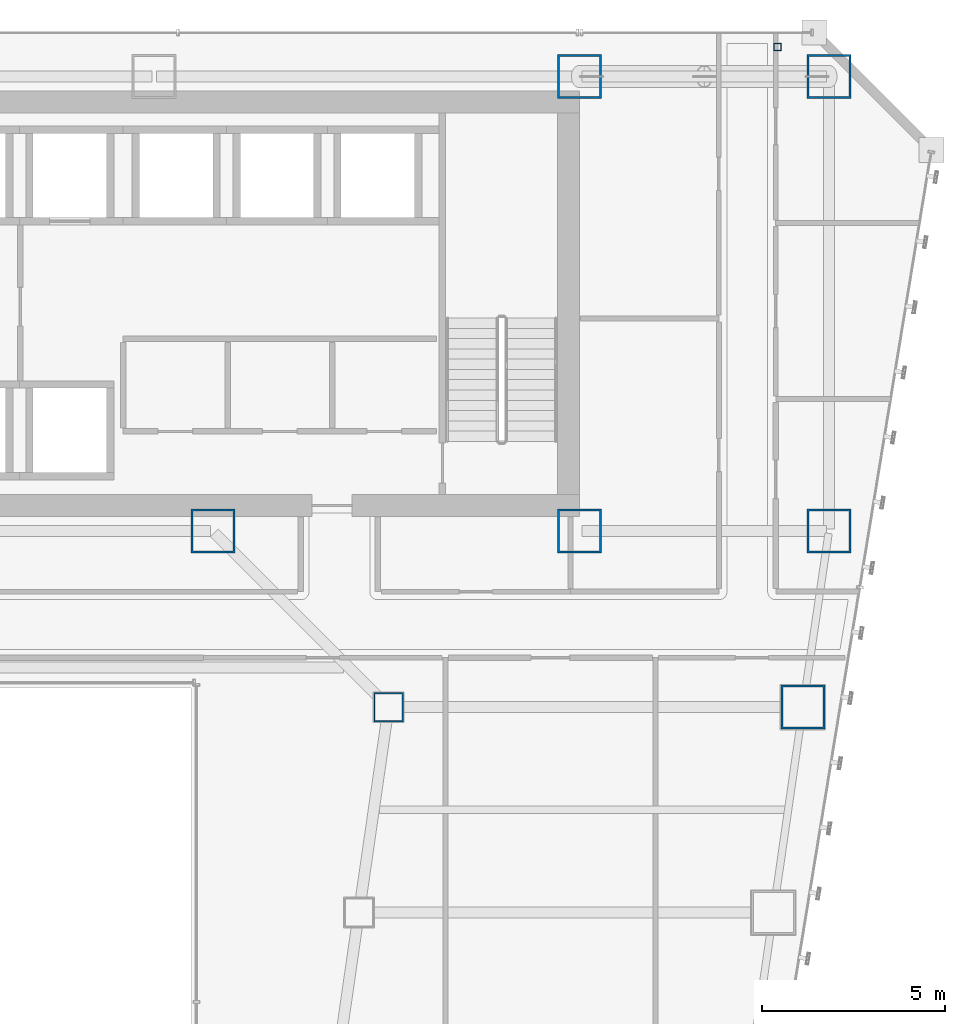
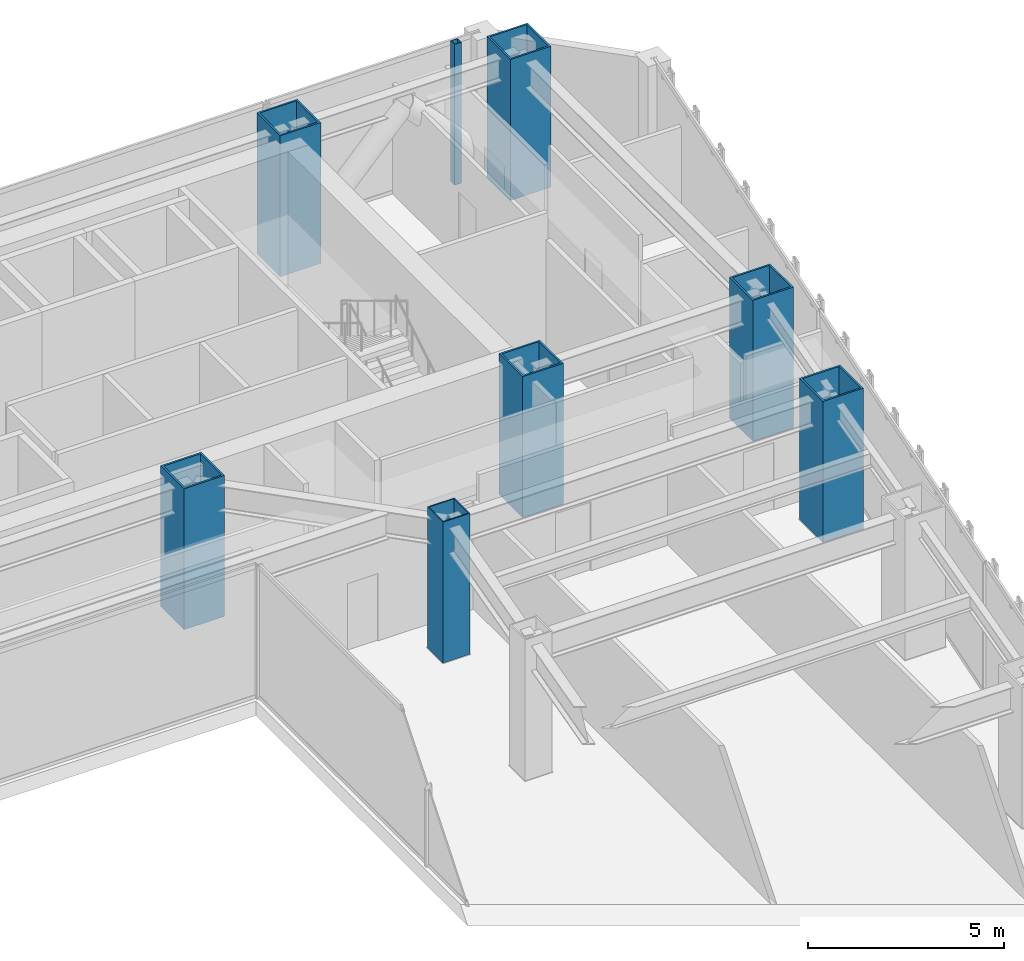
# One storey, part 3 of 49: 8 columns.
"""IFC4 building model written with IfcOpenShell, lengths in metres."""

from ifc_helpers import new_model, si_unit, direction, frame, origin, origin_2d, place, context, subcontext, project, spatial, hollow_rectangle, extrude, material, material_profile, profile_set, type_object, element, save


model = new_model("IFC4")

# Units and contexts
model_context = context("Model", 3, precision=1e-05, world=origin(), true_north=direction((0.0, 1.0)))
body_context = subcontext(model_context, "Body", "Model", "MODEL_VIEW")
ifc_project = project(units=[si_unit("LENGTHUNIT", "METRE"), si_unit("AREAUNIT", "SQUARE_METRE"), si_unit("VOLUMEUNIT", "CUBIC_METRE"), si_unit("PLANEANGLEUNIT", "RADIAN"), si_unit("MASSUNIT", "GRAM", prefix="KILO")], contexts=[model_context])

# Site, building, storey
site_placement = place(None, origin())
site = spatial("IfcSite", under=ifc_project, at=site_placement, CompositionType="ELEMENT")
building_placement = place(site_placement, origin())
building = spatial("IfcBuilding", under=site, at=building_placement, Name="Saevonmaru Cultural Tower", CompositionType="ELEMENT")
storey_placement = place(building_placement, frame((0.0, 0.0, 38.39990234375)))
storey = spatial("IfcBuildingStorey", under=building, at=storey_placement, Name="L07", CompositionType="ELEMENT", Elevation=38.39990234375)

# Columns
ifc_material_1 = material(Name="Steel HSA600 (600 MPa)", Category="steel")
ifc_material_profile_1 = material_profile(ifc_material_1, hollow_rectangle(XDim=1.199951171875, YDim=1.199951171875, WallThickness=0.054931640625, at=origin_2d()), Name="BOX-1200x1200x55")
ifc_profile_set_1 = profile_set([ifc_material_profile_1], Name="Steel HSA600 (600 MPa)")
column_type_1 = type_object("IfcColumnType", Name="COL-BOX-1200", PredefinedType="COLUMN", material=ifc_profile_set_1)
for number, where, z_axis, x_axis, name in (
    (1, (46.39990234375, 54.800048828125, 0.0), (0.0, 0.0, 1.0), (1.0, 0.0, 0.0), "L07 Column TC-N5N"),
    (2, (53.199951171875, 54.800048828125, 0.0), (0.0, 0.0, 1.0), (1.0, 0.0, 0.0), "L07 Column TC-N6N"),
    (3, (36.39990234375, 42.39990234375, 0.0), (0.0, 0.0, 1.0), (1.0, 0.0, 0.0), "L07 Column TC-S4C"),
    (4, (46.39990234375, 42.39990234375, 0.0), (0.0, 0.0, 1.0), (1.0, 0.0, 0.0), "L07 Column TC-S5C"),
    (5, (53.199951171875, 42.39990234375, 0.0), (0.0, 0.0, 1.0), (1.0, 0.0, 0.0), "L07 Column TC-S6C"),
    (6, (52.491943359375, 37.60009765625, 0.0), (0.0, 0.0, 1.0), (1.0, 0.0, 0.0), "L07 Column TC-EO-Y376"),
):
    element("IfcColumn", number, at=place(storey_placement, frame(where, z_axis=z_axis, x_axis=x_axis)), inside=storey, type_object=column_type_1, Name=name, PredefinedType="COLUMN", context=body_context, shape_type="SweptSolid", body=[
        extrude(hollow_rectangle(XDim=1.199951171875, YDim=1.199951171875, WallThickness=0.054931640625, at=origin_2d()), origin(), (0.0, 0.0, 1.0), 4.400146484375),
    ])
ifc_material_2 = material(Name="Steel SM420", Category="steel")
ifc_material_profile_2 = material_profile(ifc_material_2, hollow_rectangle(XDim=0.800048828125, YDim=0.800048828125, WallThickness=0.035888671875, at=origin_2d()), Name="BOX-800x800x36")
ifc_profile_set_2 = profile_set([ifc_material_profile_2], Name="Steel SM420")
column_type_2 = type_object("IfcColumnType", Name="COL-BOX-800", PredefinedType="COLUMN", material=ifc_profile_set_2)
column_1_placement = place(storey_placement, frame((41.19189453125, 37.60009765625, 0.0), z_axis=(0.0, 0.0, 1.0), x_axis=(1.0, 0.0, 0.0)))
element("IfcColumn", 7, at=column_1_placement, inside=storey, type_object=column_type_2, Name="L07 Column TC-EI-Y376", PredefinedType="COLUMN", context=body_context, shape_type="SweptSolid", body=[
    extrude(hollow_rectangle(XDim=0.800048828125, YDim=0.800048828125, WallThickness=0.035888671875, at=origin_2d()), origin(), (0.0, 0.0, 1.0), 4.400146484375),
])
ifc_material_3 = material(Name="Steel SM355", Category="steel")
ifc_material_profile_3 = material_profile(ifc_material_3, hollow_rectangle(XDim=0.199951171875, YDim=0.199951171875, WallThickness=0.010009765625, at=origin_2d()), Name="SHS-200x200x10")
ifc_profile_set_3 = profile_set([ifc_material_profile_3], Name="Steel SM355")
column_type_3 = type_object("IfcColumnType", Name="PIL-SHS-200", PredefinedType="PILASTER", material=ifc_profile_set_3)
column_2_placement = place(storey_placement, frame((51.800048828125, 55.60009765625, 0.0), z_axis=(0.0, 0.0, 1.0), x_axis=(1.0, 0.0, 0.0)))
element("IfcColumn", 8, at=column_2_placement, inside=storey, type_object=column_type_3, Name="L07 Art Deco Bronze-Clad Pilaster PIL-NE", PredefinedType="PILASTER", context=body_context, shape_type="SweptSolid", body=[
    extrude(hollow_rectangle(XDim=0.199951171875, YDim=0.199951171875, WallThickness=0.010009765625, at=origin_2d()), origin(), (0.0, 0.0, 1.0), 4.400146484375),
])

save(model, "model.ifc")
